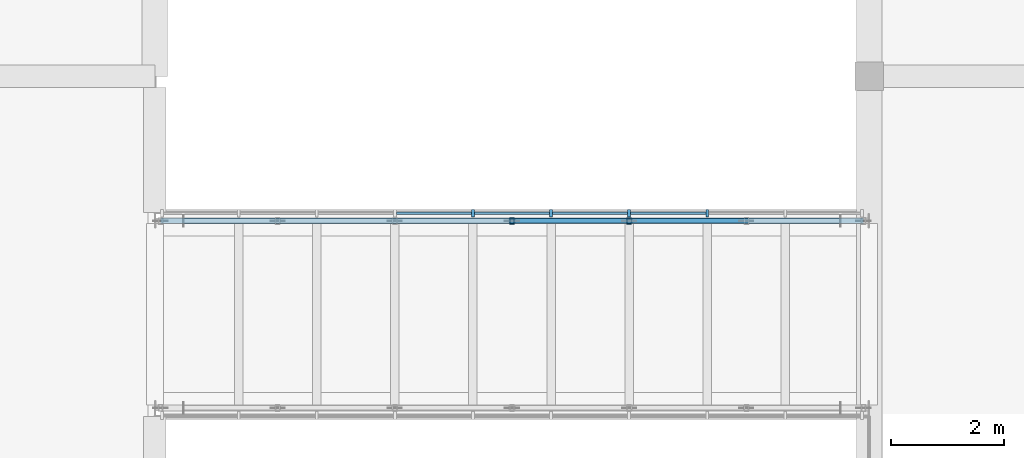
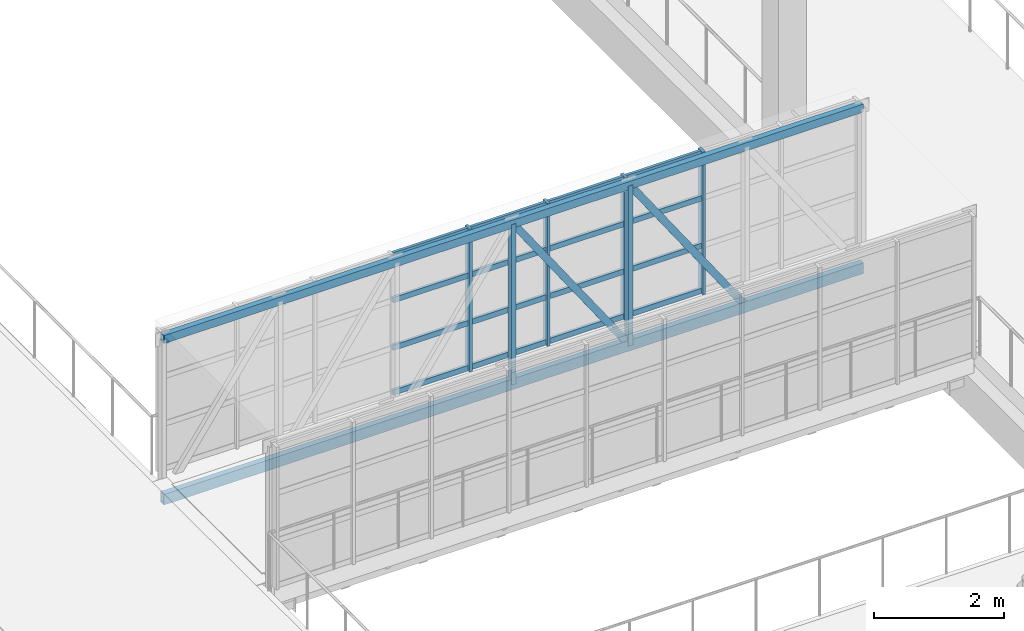
# One storey, part 19 of 67: 26 members, 1 element without a shape of its own.
"""IFC4 building model written with IfcOpenShell, lengths in metres."""

from ifc_helpers import new_model, si_unit, direction, frame, origin, origin_2d, place, context, subcontext, project, spatial, rectangle, hollow_rectangle, extrude, material, layer, layer_set, material_profile, profile_set, type_object, element, aggregate, save


model = new_model("IFC4")

# Units and contexts
model_context = context("Model", 3, precision=1e-05, world=origin(), true_north=direction((0.0, 1.0)))
body_context = subcontext(model_context, "Body", "Model", "MODEL_VIEW")
ifc_project = project(units=[si_unit("LENGTHUNIT", "METRE"), si_unit("AREAUNIT", "SQUARE_METRE"), si_unit("VOLUMEUNIT", "CUBIC_METRE"), si_unit("PLANEANGLEUNIT", "RADIAN"), si_unit("MASSUNIT", "GRAM", prefix="KILO")], contexts=[model_context])

# Site, building, storey
site_placement = place(None, origin())
site = spatial("IfcSite", under=ifc_project, at=site_placement, CompositionType="ELEMENT")
building_placement = place(site_placement, origin())
building = spatial("IfcBuilding", under=site, at=building_placement, Name="Kiln Court Media Centre", CompositionType="ELEMENT")
storey_placement = place(building_placement, frame((0.0, 0.0, 19.800048828125)))
storey = spatial("IfcBuildingStorey", under=building, at=storey_placement, Name="L04", CompositionType="ELEMENT", Elevation=19.800048828125)

# Curtain wall, members
ifc_material_1 = material(Name="Aluminium 6063-T6", Category="aluminium")
ifc_layer = layer(ifc_material_1, 0.1201171875)
ifc_layer_set = layer_set([ifc_layer], Name="Aluminium unitised curtain wall, bridge")
curtain_wall_type = type_object("IfcCurtainWallType", Name="Aluminium unitised curtain wall, bridge", PredefinedType="USERDEFINED", material=ifc_layer_set)
curtain_wall_placement = place(storey_placement, origin())
curtain_wall = element("IfcCurtainWall", 1, at=curtain_wall_placement, inside=storey, type_object=curtain_wall_type, Name="BR-L04-FOY-11 side glazing", ObjectType="UNITISED CURTAIN WALL", PredefinedType="USERDEFINED")
ifc_material_2 = material(Name="Aluminium 6063-T6", Category="aluminium")
ifc_material_profile_1 = material_profile(ifc_material_2, rectangle(XDim=0.050048828125, YDim=0.139892578125, at=origin_2d()), Name="Aluminium hall mullion 50x140")
ifc_profile_set_1 = profile_set([ifc_material_profile_1], Name="Aluminium 6063-T6")
member_type_1 = type_object("IfcMemberType", Name="Aluminium hall mullion 50x140", PredefinedType="MULLION", material=ifc_profile_set_1)
member_1_placement = place(storey_placement, frame((43.4111328125, 39.5849609375, 0.0), z_axis=(0.0, 0.0, 1.0), x_axis=(1.0, 0.0, 0.0)))
member_1 = element("IfcMember", 2, at=member_1_placement, type_object=member_type_1, Name="CW4-68 mullion 5", PredefinedType="MULLION", context=body_context, shape_type="SweptSolid", body=[
    extrude(rectangle(XDim=0.050048828125, YDim=0.139892578125, at=origin_2d()), origin(), (0.0, 0.0, 1.0), 2.675048828125),
])
member_2_placement = place(storey_placement, frame((44.788818359375, 39.5849609375, 0.0), z_axis=(0.0, 0.0, 1.0), x_axis=(1.0, 0.0, 0.0)))
member_2 = element("IfcMember", 3, at=member_2_placement, type_object=member_type_1, Name="CW4-68 mullion 6", PredefinedType="MULLION", context=body_context, shape_type="SweptSolid", body=[
    extrude(rectangle(XDim=0.050048828125, YDim=0.139892578125, at=origin_2d()), origin(), (0.0, 0.0, 1.0), 2.675048828125),
])
member_3_placement = place(storey_placement, frame((46.166748046875, 39.5849609375, 0.0), z_axis=(0.0, 0.0, 1.0), x_axis=(1.0, 0.0, 0.0)))
member_3 = element("IfcMember", 4, at=member_3_placement, type_object=member_type_1, Name="CW4-68 mullion 7", PredefinedType="MULLION", context=body_context, shape_type="SweptSolid", body=[
    extrude(rectangle(XDim=0.050048828125, YDim=0.139892578125, at=origin_2d()), origin(), (0.0, 0.0, 1.0), 2.675048828125),
])
member_4_placement = place(storey_placement, frame((47.54443359375, 39.5849609375, 0.0), z_axis=(0.0, 0.0, 1.0), x_axis=(1.0, 0.0, 0.0)))
member_4 = element("IfcMember", 5, at=member_4_placement, type_object=member_type_1, Name="CW4-68 mullion 8", PredefinedType="MULLION", context=body_context, shape_type="SweptSolid", body=[
    extrude(rectangle(XDim=0.050048828125, YDim=0.139892578125, at=origin_2d()), origin(), (0.0, 0.0, 1.0), 2.675048828125),
])
ifc_material_3 = material(Name="Aluminium 6063-T6", Category="aluminium")
ifc_material_profile_2 = material_profile(ifc_material_3, rectangle(XDim=0.050048828125, YDim=0.10009765625, at=origin_2d()), Name="Aluminium hall transom 50x100")
ifc_profile_set_2 = profile_set([ifc_material_profile_2], Name="Aluminium 6063-T6")
member_type_2 = type_object("IfcMemberType", Name="Aluminium hall transom 50x100", PredefinedType="USERDEFINED", material=ifc_profile_set_2)
member_5_placement = place(storey_placement, frame((42.058349609375, 39.5849609375, 0.050048828125), z_axis=(1.0, 0.0, 0.0), x_axis=(0.0, 1.0, 0.0)))
member_5 = element("IfcMember", 6, at=member_5_placement, type_object=member_type_2, Name="CW4-68 transom 4.1", ObjectType="TRANSOM", PredefinedType="USERDEFINED", context=body_context, shape_type="SweptSolid", body=[
    extrude(rectangle(XDim=0.050048828125, YDim=0.10009765625, at=origin_2d()), origin(), (0.0, 0.0, 1.0), 1.327880859375),
])
member_6_placement = place(storey_placement, frame((42.058349609375, 39.5849609375, 0.8916015625), z_axis=(1.0, 0.0, 0.0), x_axis=(0.0, 1.0, 0.0)))
member_6 = element("IfcMember", 7, at=member_6_placement, type_object=member_type_2, Name="CW4-68 transom 4.2", ObjectType="TRANSOM", PredefinedType="USERDEFINED", context=body_context, shape_type="SweptSolid", body=[
    extrude(rectangle(XDim=0.050048828125, YDim=0.10009765625, at=origin_2d()), origin(), (0.0, 0.0, 1.0), 1.327880859375),
])
member_7_placement = place(storey_placement, frame((42.058349609375, 39.5849609375, 1.783203125), z_axis=(1.0, 0.0, 0.0), x_axis=(0.0, 1.0, 0.0)))
member_7 = element("IfcMember", 8, at=member_7_placement, type_object=member_type_2, Name="CW4-68 transom 4.3", ObjectType="TRANSOM", PredefinedType="USERDEFINED", context=body_context, shape_type="SweptSolid", body=[
    extrude(rectangle(XDim=0.050048828125, YDim=0.10009765625, at=origin_2d()), origin(), (0.0, 0.0, 1.0), 1.327880859375),
])
member_8_placement = place(storey_placement, frame((42.058349609375, 39.5849609375, 2.625), z_axis=(1.0, 0.0, 0.0), x_axis=(0.0, 1.0, 0.0)))
member_8 = element("IfcMember", 9, at=member_8_placement, type_object=member_type_2, Name="CW4-68 transom 4.4", ObjectType="TRANSOM", PredefinedType="USERDEFINED", context=body_context, shape_type="SweptSolid", body=[
    extrude(rectangle(XDim=0.050048828125, YDim=0.10009765625, at=origin_2d()), origin(), (0.0, 0.0, 1.0), 1.327880859375),
])
member_9_placement = place(storey_placement, frame((43.43603515625, 39.5849609375, 0.050048828125), z_axis=(1.0, 0.0, 0.0), x_axis=(0.0, 1.0, 0.0)))
member_9 = element("IfcMember", 10, at=member_9_placement, type_object=member_type_2, Name="CW4-68 transom 5.1", ObjectType="TRANSOM", PredefinedType="USERDEFINED", context=body_context, shape_type="SweptSolid", body=[
    extrude(rectangle(XDim=0.050048828125, YDim=0.10009765625, at=origin_2d()), origin(), (0.0, 0.0, 1.0), 1.327880859375),
])
member_10_placement = place(storey_placement, frame((43.43603515625, 39.5849609375, 0.8916015625), z_axis=(1.0, 0.0, 0.0), x_axis=(0.0, 1.0, 0.0)))
member_10 = element("IfcMember", 11, at=member_10_placement, type_object=member_type_2, Name="CW4-68 transom 5.2", ObjectType="TRANSOM", PredefinedType="USERDEFINED", context=body_context, shape_type="SweptSolid", body=[
    extrude(rectangle(XDim=0.050048828125, YDim=0.10009765625, at=origin_2d()), origin(), (0.0, 0.0, 1.0), 1.327880859375),
])
member_11_placement = place(storey_placement, frame((43.43603515625, 39.5849609375, 1.783203125), z_axis=(1.0, 0.0, 0.0), x_axis=(0.0, 1.0, 0.0)))
member_11 = element("IfcMember", 12, at=member_11_placement, type_object=member_type_2, Name="CW4-68 transom 5.3", ObjectType="TRANSOM", PredefinedType="USERDEFINED", context=body_context, shape_type="SweptSolid", body=[
    extrude(rectangle(XDim=0.050048828125, YDim=0.10009765625, at=origin_2d()), origin(), (0.0, 0.0, 1.0), 1.327880859375),
])
member_12_placement = place(storey_placement, frame((43.43603515625, 39.5849609375, 2.625), z_axis=(1.0, 0.0, 0.0), x_axis=(0.0, 1.0, 0.0)))
member_12 = element("IfcMember", 13, at=member_12_placement, type_object=member_type_2, Name="CW4-68 transom 5.4", ObjectType="TRANSOM", PredefinedType="USERDEFINED", context=body_context, shape_type="SweptSolid", body=[
    extrude(rectangle(XDim=0.050048828125, YDim=0.10009765625, at=origin_2d()), origin(), (0.0, 0.0, 1.0), 1.327880859375),
])
member_13_placement = place(storey_placement, frame((44.81396484375, 39.5849609375, 0.050048828125), z_axis=(1.0, 0.0, 0.0), x_axis=(0.0, 1.0, 0.0)))
member_13 = element("IfcMember", 14, at=member_13_placement, type_object=member_type_2, Name="CW4-68 transom 6.1", ObjectType="TRANSOM", PredefinedType="USERDEFINED", context=body_context, shape_type="SweptSolid", body=[
    extrude(rectangle(XDim=0.050048828125, YDim=0.10009765625, at=origin_2d()), origin(), (0.0, 0.0, 1.0), 1.32763671875),
])
member_14_placement = place(storey_placement, frame((44.81396484375, 39.5849609375, 0.8916015625), z_axis=(1.0, 0.0, 0.0), x_axis=(0.0, 1.0, 0.0)))
member_14 = element("IfcMember", 15, at=member_14_placement, type_object=member_type_2, Name="CW4-68 transom 6.2", ObjectType="TRANSOM", PredefinedType="USERDEFINED", context=body_context, shape_type="SweptSolid", body=[
    extrude(rectangle(XDim=0.050048828125, YDim=0.10009765625, at=origin_2d()), origin(), (0.0, 0.0, 1.0), 1.32763671875),
])
member_15_placement = place(storey_placement, frame((44.81396484375, 39.5849609375, 1.783203125), z_axis=(1.0, 0.0, 0.0), x_axis=(0.0, 1.0, 0.0)))
member_15 = element("IfcMember", 16, at=member_15_placement, type_object=member_type_2, Name="CW4-68 transom 6.3", ObjectType="TRANSOM", PredefinedType="USERDEFINED", context=body_context, shape_type="SweptSolid", body=[
    extrude(rectangle(XDim=0.050048828125, YDim=0.10009765625, at=origin_2d()), origin(), (0.0, 0.0, 1.0), 1.32763671875),
])
member_16_placement = place(storey_placement, frame((44.81396484375, 39.5849609375, 2.625), z_axis=(1.0, 0.0, 0.0), x_axis=(0.0, 1.0, 0.0)))
member_16 = element("IfcMember", 17, at=member_16_placement, type_object=member_type_2, Name="CW4-68 transom 6.4", ObjectType="TRANSOM", PredefinedType="USERDEFINED", context=body_context, shape_type="SweptSolid", body=[
    extrude(rectangle(XDim=0.050048828125, YDim=0.10009765625, at=origin_2d()), origin(), (0.0, 0.0, 1.0), 1.32763671875),
])
member_17_placement = place(storey_placement, frame((46.191650390625, 39.5849609375, 0.050048828125), z_axis=(1.0, 0.0, 0.0), x_axis=(0.0, 1.0, 0.0)))
member_17 = element("IfcMember", 18, at=member_17_placement, type_object=member_type_2, Name="CW4-68 transom 7.1", ObjectType="TRANSOM", PredefinedType="USERDEFINED", context=body_context, shape_type="SweptSolid", body=[
    extrude(rectangle(XDim=0.050048828125, YDim=0.10009765625, at=origin_2d()), origin(), (0.0, 0.0, 1.0), 1.327880859375),
])
member_18_placement = place(storey_placement, frame((46.191650390625, 39.5849609375, 0.8916015625), z_axis=(1.0, 0.0, 0.0), x_axis=(0.0, 1.0, 0.0)))
member_18 = element("IfcMember", 19, at=member_18_placement, type_object=member_type_2, Name="CW4-68 transom 7.2", ObjectType="TRANSOM", PredefinedType="USERDEFINED", context=body_context, shape_type="SweptSolid", body=[
    extrude(rectangle(XDim=0.050048828125, YDim=0.10009765625, at=origin_2d()), origin(), (0.0, 0.0, 1.0), 1.327880859375),
])
member_19_placement = place(storey_placement, frame((46.191650390625, 39.5849609375, 1.783203125), z_axis=(1.0, 0.0, 0.0), x_axis=(0.0, 1.0, 0.0)))
member_19 = element("IfcMember", 20, at=member_19_placement, type_object=member_type_2, Name="CW4-68 transom 7.3", ObjectType="TRANSOM", PredefinedType="USERDEFINED", context=body_context, shape_type="SweptSolid", body=[
    extrude(rectangle(XDim=0.050048828125, YDim=0.10009765625, at=origin_2d()), origin(), (0.0, 0.0, 1.0), 1.327880859375),
])
member_20_placement = place(storey_placement, frame((46.191650390625, 39.5849609375, 2.625), z_axis=(1.0, 0.0, 0.0), x_axis=(0.0, 1.0, 0.0)))
member_20 = element("IfcMember", 21, at=member_20_placement, type_object=member_type_2, Name="CW4-68 transom 7.4", ObjectType="TRANSOM", PredefinedType="USERDEFINED", context=body_context, shape_type="SweptSolid", body=[
    extrude(rectangle(XDim=0.050048828125, YDim=0.10009765625, at=origin_2d()), origin(), (0.0, 0.0, 1.0), 1.327880859375),
])
aggregate(curtain_wall, [member_1, member_2, member_3, member_4, member_5, member_6, member_7, member_8, member_9, member_10, member_11, member_12, member_13, member_14, member_15, member_16, member_17, member_18, member_19, member_20])

# Members
ifc_material_4 = material(Name="Steel ASTM A500 Gr C", Category="steel")
ifc_material_profile_3 = material_profile(ifc_material_4, hollow_rectangle(XDim=0.080078125, YDim=0.1201171875, WallThickness=0.00634765625, at=origin_2d()), Name="RHS 120x80x6.3")
ifc_profile_set_3 = profile_set([ifc_material_profile_3], Name="Steel ASTM A500 Gr C")
member_type_3 = type_object("IfcMemberType", Name="Steel ASTM A500 Gr C RHS 120x80x6.3 bridge truss web", PredefinedType="BRACE", material=ifc_profile_set_3)
for number, where, z_axis, x_axis, name in (
    (22, (44.10009765625, 39.449951171875, -0.400146484375), (0.0, 0.0, 1.0), (1.0, 0.0, 0.0), "bridge BR-L04-FOY-11 side truss 2 post 4 bridge truss web"),
    (23, (46.166748046875, 39.449951171875, -0.400146484375), (0.0, 0.0, 1.0), (1.0, 0.0, 0.0), "bridge BR-L04-FOY-11 side truss 2 post 5 bridge truss web"),
):
    element("IfcMember", number, at=place(storey_placement, frame(where, z_axis=z_axis, x_axis=x_axis)), inside=storey, type_object=member_type_3, Name=name, PredefinedType="BRACE", context=body_context, shape_type="SweptSolid", body=[
        extrude(hollow_rectangle(XDim=0.080078125, YDim=0.1201171875, WallThickness=0.00634765625, at=origin_2d()), origin(), (0.0, 0.0, 1.0), 3.0),
    ])
for number, where, z_axis, x_axis, name in (
    (24, (44.10009765625, 39.449951171875, 2.599853515625), (0.567302206325, 0.0, -0.823509688284), (0.0, 1.0, 0.0), "bridge BR-L04-FOY-11 side truss 2 diagonal 4 bridge truss web"),
    (25, (46.166748046875, 39.449951171875, 2.599853515625), (0.567302206325, 0.0, -0.823509688284), (0.0, 1.0, 0.0), "bridge BR-L04-FOY-11 side truss 2 diagonal 5 bridge truss web"),
):
    element("IfcMember", number, at=place(storey_placement, frame(where, z_axis=z_axis, x_axis=x_axis)), inside=storey, type_object=member_type_3, Name=name, PredefinedType="BRACE", context=body_context, shape_type="SweptSolid", body=[
        extrude(hollow_rectangle(XDim=0.080078125, YDim=0.1201171875, WallThickness=0.00634765625, at=origin_2d()), origin(), (0.0, 0.0, 1.0), 3.64306640625),
    ])
ifc_material_5 = material(Name="Steel ASTM A500 Gr C", Category="steel")
ifc_material_profile_4 = material_profile(ifc_material_5, hollow_rectangle(XDim=0.10009765625, YDim=0.14990234375, WallThickness=0.008056640625, at=origin_2d()), Name="RHS 150x100x8.0")
ifc_profile_set_4 = profile_set([ifc_material_profile_4], Name="Steel ASTM A500 Gr C")
member_type_4 = type_object("IfcMemberType", Name="Steel ASTM A500 Gr C RHS 150x100x8.0 bridge truss chord", PredefinedType="CHORD", material=ifc_profile_set_4)
member_21_placement = place(storey_placement, frame((37.89990234375, 39.449951171875, 2.599853515625), z_axis=(1.0, 0.0, 0.0), x_axis=(0.0, 1.0, 0.0)))
element("IfcMember", 26, at=member_21_placement, inside=storey, type_object=member_type_4, Name="bridge BR-L04-FOY-11 side truss 2 top chord bridge truss chord", PredefinedType="CHORD", context=body_context, shape_type="SweptSolid", body=[
    extrude(hollow_rectangle(XDim=0.10009765625, YDim=0.14990234375, WallThickness=0.008056640625, at=origin_2d()), origin(), (0.0, 0.0, 1.0), 12.400146484375),
])
ifc_material_6 = material(Name="Steel ASTM A500 Gr C", Category="steel")
ifc_material_profile_5 = material_profile(ifc_material_6, hollow_rectangle(XDim=0.10009765625, YDim=0.199951171875, WallThickness=0.008056640625, at=origin_2d()), Name="RHS 200x100x8.0")
ifc_profile_set_5 = profile_set([ifc_material_profile_5], Name="Steel ASTM A500 Gr C")
member_type_5 = type_object("IfcMemberType", Name="Steel ASTM A500 Gr C RHS 200x100x8.0 bridge truss chord", PredefinedType="CHORD", material=ifc_profile_set_5)
member_22_placement = place(storey_placement, frame((37.89990234375, 39.449951171875, -0.400146484375), z_axis=(1.0, 0.0, 0.0), x_axis=(0.0, 1.0, 0.0)))
element("IfcMember", 27, at=member_22_placement, inside=storey, type_object=member_type_5, Name="bridge BR-L04-FOY-11 side truss 2 bottom chord bridge truss chord", PredefinedType="CHORD", context=body_context, shape_type="SweptSolid", body=[
    extrude(hollow_rectangle(XDim=0.10009765625, YDim=0.199951171875, WallThickness=0.008056640625, at=origin_2d()), origin(), (0.0, 0.0, 1.0), 12.400146484375),
])

save(model, "model.ifc")
